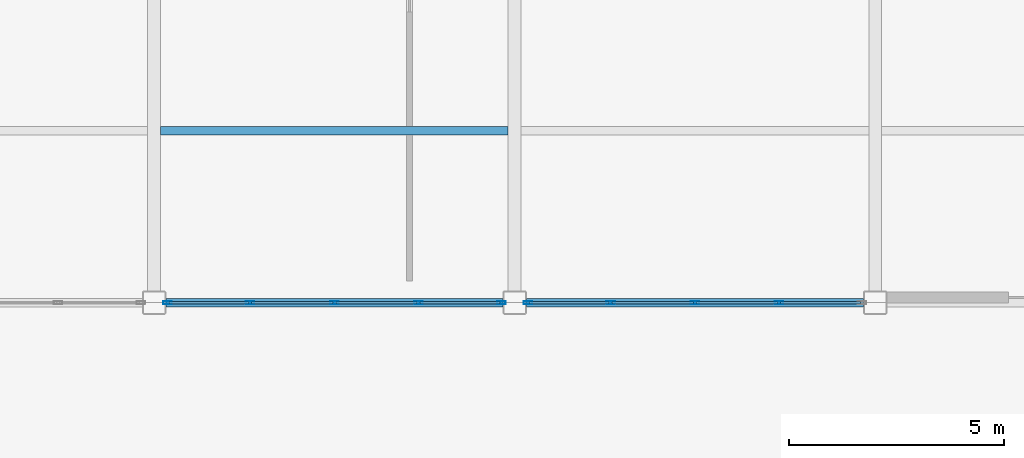
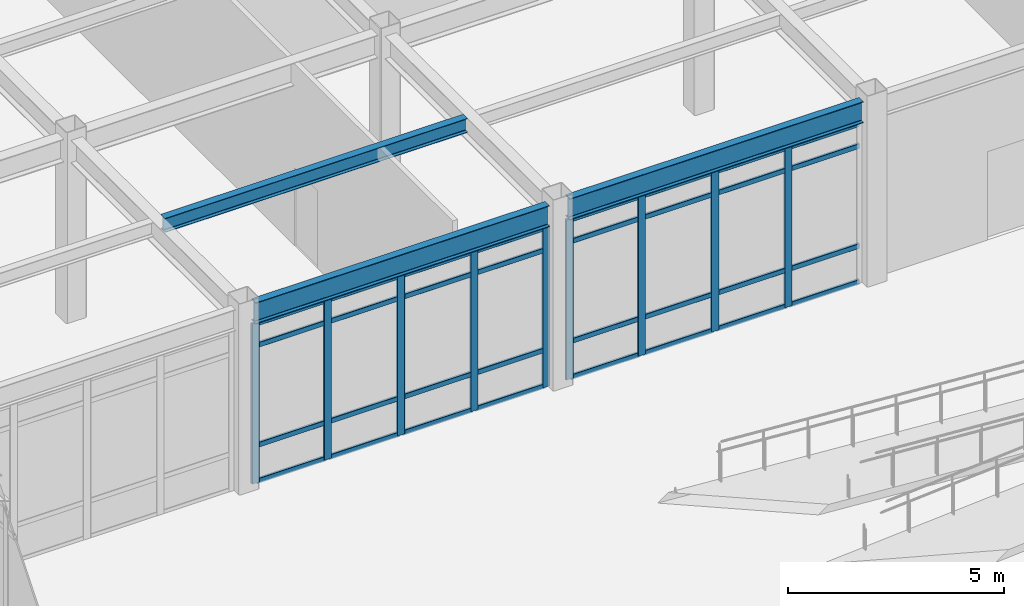
# One storey, part 74 of 165: 41 members, 3 beams, 2 elements without a shape of their own.
"""IFC4 building model written with IfcOpenShell, lengths in metres."""

from ifc_helpers import new_model, si_unit, direction, frame, origin, origin_2d, place, context, subcontext, project, spatial, hollow_rectangle, i_section, extrude, material, layer, layer_set, material_profile, profile_set, type_object, element, aggregate, save


model = new_model("IFC4")

# Units and contexts
model_context = context("Model", 3, precision=1e-05, world=origin(), true_north=direction((0.0, 1.0)))
body_context = subcontext(model_context, "Body", "Model", "MODEL_VIEW")
ifc_project = project(units=[si_unit("LENGTHUNIT", "METRE"), si_unit("AREAUNIT", "SQUARE_METRE"), si_unit("VOLUMEUNIT", "CUBIC_METRE"), si_unit("PLANEANGLEUNIT", "RADIAN"), si_unit("MASSUNIT", "GRAM", prefix="KILO")], contexts=[model_context])

# Site, building, storey
site_placement = place(None, origin())
site = spatial("IfcSite", under=ifc_project, at=site_placement, CompositionType="ELEMENT")
building_placement = place(site_placement, origin())
building = spatial("IfcBuilding", under=site, at=building_placement, Name="Kazehara Bluff Congress Hotel", CompositionType="ELEMENT")
storey_placement = place(building_placement, origin())
storey = spatial("IfcBuildingStorey", under=building, at=storey_placement, Name="L00", CompositionType="ELEMENT", Elevation=0.0)

# Curtain wall, members
ifc_material_1 = material(Name="Anodised aluminium", Category="aluminium")
ifc_layer = layer(ifc_material_1, 0.159912109375)
ifc_layer_set = layer_set([ifc_layer], Name="Anodised aluminium")
curtain_wall_type = type_object("IfcCurtainWallType", Name="TP-CW-36", PredefinedType="NOTDEFINED", material=ifc_layer_set)
curtain_wall_1_placement = place(storey_placement, origin())
curtain_wall_1 = element("IfcCurtainWall", 1, at=curtain_wall_1_placement, inside=storey, type_object=curtain_wall_type, Name="L00 curtain wall CW-36 CW-V3-L00-Y8090-7632", PredefinedType="NOTDEFINED")
ifc_material_2 = material(Name="Anodised aluminium", Category="aluminium")
ifc_material_profile_1 = material_profile(ifc_material_2, hollow_rectangle(XDim=0.070068359375, YDim=0.199951171875, WallThickness=0.0048828125, InnerFilletRadius=0.0048828125, OuterFilletRadius=0.010009765625, at=origin_2d()))
ifc_profile_set_1 = profile_set([ifc_material_profile_1], Name="Anodised aluminium")
member_type_1 = type_object("IfcMemberType", Name="TP-CWM-03", PredefinedType="MULLION", material=ifc_profile_set_1)
member_1_placement = place(storey_placement, frame((76.360107421875, 80.89990234375, 0.0), z_axis=(0.0, 0.0, 1.0), x_axis=(0.0, 1.0, 0.0)))
member_1 = element("IfcMember", 2, at=member_1_placement, type_object=member_type_1, Name="CW-36 mullion 1", PredefinedType="MULLION", context=body_context, shape_type="SweptSolid", body=[
    extrude(hollow_rectangle(XDim=0.070068359375, YDim=0.199951171875, WallThickness=0.0048828125, InnerFilletRadius=0.0048828125, OuterFilletRadius=0.010009765625, at=origin_2d()), origin(), (0.0, 0.0, 1.0), 4.52490234375),
])
member_2_placement = place(storey_placement, frame((78.28759765625, 80.89990234375, 0.0), z_axis=(0.0, 0.0, 1.0), x_axis=(0.0, 1.0, 0.0)))
member_2 = element("IfcMember", 3, at=member_2_placement, type_object=member_type_1, Name="CW-36 mullion 2", PredefinedType="MULLION", context=body_context, shape_type="SweptSolid", body=[
    extrude(hollow_rectangle(XDim=0.070068359375, YDim=0.199951171875, WallThickness=0.0048828125, InnerFilletRadius=0.0048828125, OuterFilletRadius=0.010009765625, at=origin_2d()), origin(), (0.0, 0.0, 1.0), 4.52490234375),
])
member_3_placement = place(storey_placement, frame((80.25, 80.89990234375, 0.0), z_axis=(0.0, 0.0, 1.0), x_axis=(0.0, 1.0, 0.0)))
member_3 = element("IfcMember", 4, at=member_3_placement, type_object=member_type_1, Name="CW-36 mullion 3", PredefinedType="MULLION", context=body_context, shape_type="SweptSolid", body=[
    extrude(hollow_rectangle(XDim=0.070068359375, YDim=0.199951171875, WallThickness=0.0048828125, InnerFilletRadius=0.0048828125, OuterFilletRadius=0.010009765625, at=origin_2d()), origin(), (0.0, 0.0, 1.0), 4.52490234375),
])
member_4_placement = place(storey_placement, frame((82.21240234375, 80.89990234375, 0.0), z_axis=(0.0, 0.0, 1.0), x_axis=(0.0, 1.0, 0.0)))
member_4 = element("IfcMember", 5, at=member_4_placement, type_object=member_type_1, Name="CW-36 mullion 4", PredefinedType="MULLION", context=body_context, shape_type="SweptSolid", body=[
    extrude(hollow_rectangle(XDim=0.070068359375, YDim=0.199951171875, WallThickness=0.0048828125, InnerFilletRadius=0.0048828125, OuterFilletRadius=0.010009765625, at=origin_2d()), origin(), (0.0, 0.0, 1.0), 4.52490234375),
])
member_5_placement = place(storey_placement, frame((84.139892578125, 80.89990234375, 0.0), z_axis=(0.0, 0.0, 1.0), x_axis=(0.0, 1.0, 0.0)))
member_5 = element("IfcMember", 6, at=member_5_placement, type_object=member_type_1, Name="CW-36 mullion 5", PredefinedType="MULLION", context=body_context, shape_type="SweptSolid", body=[
    extrude(hollow_rectangle(XDim=0.070068359375, YDim=0.199951171875, WallThickness=0.0048828125, InnerFilletRadius=0.0048828125, OuterFilletRadius=0.010009765625, at=origin_2d()), origin(), (0.0, 0.0, 1.0), 4.52490234375),
])

curtain_wall_2_placement = place(storey_placement, origin())
curtain_wall_2 = element("IfcCurtainWall", 7, at=curtain_wall_2_placement, inside=storey, type_object=curtain_wall_type, Name="L00 curtain wall CW-36 CW-V3-L00-Y8090-8472", PredefinedType="NOTDEFINED")
member_6_placement = place(storey_placement, frame((84.760009765625, 80.89990234375, 0.0), z_axis=(0.0, 0.0, 1.0), x_axis=(0.0, 1.0, 0.0)))
member_6 = element("IfcMember", 8, at=member_6_placement, type_object=member_type_1, Name="CW-36 mullion 1", PredefinedType="MULLION", context=body_context, shape_type="SweptSolid", body=[
    extrude(hollow_rectangle(XDim=0.070068359375, YDim=0.199951171875, WallThickness=0.0048828125, InnerFilletRadius=0.0048828125, OuterFilletRadius=0.010009765625, at=origin_2d()), origin(), (0.0, 0.0, 1.0), 4.52490234375),
])
member_7_placement = place(storey_placement, frame((86.6875, 80.89990234375, 0.0), z_axis=(0.0, 0.0, 1.0), x_axis=(0.0, 1.0, 0.0)))
member_7 = element("IfcMember", 9, at=member_7_placement, type_object=member_type_1, Name="CW-36 mullion 2", PredefinedType="MULLION", context=body_context, shape_type="SweptSolid", body=[
    extrude(hollow_rectangle(XDim=0.070068359375, YDim=0.199951171875, WallThickness=0.0048828125, InnerFilletRadius=0.0048828125, OuterFilletRadius=0.010009765625, at=origin_2d()), origin(), (0.0, 0.0, 1.0), 4.52490234375),
])
member_8_placement = place(storey_placement, frame((88.64990234375, 80.89990234375, 0.0), z_axis=(0.0, 0.0, 1.0), x_axis=(0.0, 1.0, 0.0)))
member_8 = element("IfcMember", 10, at=member_8_placement, type_object=member_type_1, Name="CW-36 mullion 3", PredefinedType="MULLION", context=body_context, shape_type="SweptSolid", body=[
    extrude(hollow_rectangle(XDim=0.070068359375, YDim=0.199951171875, WallThickness=0.0048828125, InnerFilletRadius=0.0048828125, OuterFilletRadius=0.010009765625, at=origin_2d()), origin(), (0.0, 0.0, 1.0), 4.52490234375),
])
member_9_placement = place(storey_placement, frame((90.612548828125, 80.89990234375, 0.0), z_axis=(0.0, 0.0, 1.0), x_axis=(0.0, 1.0, 0.0)))
member_9 = element("IfcMember", 11, at=member_9_placement, type_object=member_type_1, Name="CW-36 mullion 4", PredefinedType="MULLION", context=body_context, shape_type="SweptSolid", body=[
    extrude(hollow_rectangle(XDim=0.070068359375, YDim=0.199951171875, WallThickness=0.0048828125, InnerFilletRadius=0.0048828125, OuterFilletRadius=0.010009765625, at=origin_2d()), origin(), (0.0, 0.0, 1.0), 4.52490234375),
])

# Member
ifc_material_3 = material(Name="Anodised aluminium", Category="aluminium")
ifc_material_profile_2 = material_profile(ifc_material_3, hollow_rectangle(XDim=0.06494140625, YDim=0.139892578125, WallThickness=0.00390625, InnerFilletRadius=0.00390625, OuterFilletRadius=0.008056640625, at=origin_2d()))
ifc_profile_set_2 = profile_set([ifc_material_profile_2], Name="Anodised aluminium")
member_type_2 = type_object("IfcMemberType", Name="TP-CWT-02", PredefinedType="USERDEFINED", material=ifc_profile_set_2)
member_10_placement = place(storey_placement, frame((76.39501953125, 80.89990234375, 0.032470703125), z_axis=(1.0, 0.0, 0.0), x_axis=(0.0, 1.0, 0.0)))
member_10 = element("IfcMember", 12, at=member_10_placement, type_object=member_type_2, Name="CW-36 transom 1.1", ObjectType="TRANSOM", PredefinedType="USERDEFINED", context=body_context, shape_type="SweptSolid", body=[
    extrude(hollow_rectangle(XDim=0.06494140625, YDim=0.139892578125, WallThickness=0.00390625, InnerFilletRadius=0.00390625, OuterFilletRadius=0.008056640625, at=origin_2d()), origin(), (0.0, 0.0, 1.0), 1.857421875),
])

member_11_placement = place(storey_placement, frame((76.39501953125, 80.89990234375, 1.050048828125), z_axis=(1.0, 0.0, 0.0), x_axis=(0.0, 1.0, 0.0)))
member_11 = element("IfcMember", 13, at=member_11_placement, type_object=member_type_2, Name="CW-36 transom 1.2", ObjectType="TRANSOM", PredefinedType="USERDEFINED", context=body_context, shape_type="SweptSolid", body=[
    extrude(hollow_rectangle(XDim=0.06494140625, YDim=0.139892578125, WallThickness=0.00390625, InnerFilletRadius=0.00390625, OuterFilletRadius=0.008056640625, at=origin_2d()), origin(), (0.0, 0.0, 1.0), 1.857421875),
])

member_12_placement = place(storey_placement, frame((76.39501953125, 80.89990234375, 3.875), z_axis=(1.0, 0.0, 0.0), x_axis=(0.0, 1.0, 0.0)))
member_12 = element("IfcMember", 14, at=member_12_placement, type_object=member_type_2, Name="CW-36 transom 1.3", ObjectType="TRANSOM", PredefinedType="USERDEFINED", context=body_context, shape_type="SweptSolid", body=[
    extrude(hollow_rectangle(XDim=0.06494140625, YDim=0.139892578125, WallThickness=0.00390625, InnerFilletRadius=0.00390625, OuterFilletRadius=0.008056640625, at=origin_2d()), origin(), (0.0, 0.0, 1.0), 1.857421875),
])

member_13_placement = place(storey_placement, frame((76.39501953125, 80.89990234375, 4.492431640625), z_axis=(1.0, 0.0, 0.0), x_axis=(0.0, 1.0, 0.0)))
member_13 = element("IfcMember", 15, at=member_13_placement, type_object=member_type_2, Name="CW-36 transom 1.4", ObjectType="TRANSOM", PredefinedType="USERDEFINED", context=body_context, shape_type="SweptSolid", body=[
    extrude(hollow_rectangle(XDim=0.06494140625, YDim=0.139892578125, WallThickness=0.00390625, InnerFilletRadius=0.00390625, OuterFilletRadius=0.008056640625, at=origin_2d()), origin(), (0.0, 0.0, 1.0), 1.857421875),
])

member_14_placement = place(storey_placement, frame((78.322509765625, 80.89990234375, 0.032470703125), z_axis=(1.0, 0.0, 0.0), x_axis=(0.0, 1.0, 0.0)))
member_14 = element("IfcMember", 16, at=member_14_placement, type_object=member_type_2, Name="CW-36 transom 2.1", ObjectType="TRANSOM", PredefinedType="USERDEFINED", context=body_context, shape_type="SweptSolid", body=[
    extrude(hollow_rectangle(XDim=0.06494140625, YDim=0.139892578125, WallThickness=0.00390625, InnerFilletRadius=0.00390625, OuterFilletRadius=0.008056640625, at=origin_2d()), origin(), (0.0, 0.0, 1.0), 1.892578125),
])

member_15_placement = place(storey_placement, frame((78.322509765625, 80.89990234375, 1.050048828125), z_axis=(1.0, 0.0, 0.0), x_axis=(0.0, 1.0, 0.0)))
member_15 = element("IfcMember", 17, at=member_15_placement, type_object=member_type_2, Name="CW-36 transom 2.2", ObjectType="TRANSOM", PredefinedType="USERDEFINED", context=body_context, shape_type="SweptSolid", body=[
    extrude(hollow_rectangle(XDim=0.06494140625, YDim=0.139892578125, WallThickness=0.00390625, InnerFilletRadius=0.00390625, OuterFilletRadius=0.008056640625, at=origin_2d()), origin(), (0.0, 0.0, 1.0), 1.892578125),
])

member_16_placement = place(storey_placement, frame((78.322509765625, 80.89990234375, 3.875), z_axis=(1.0, 0.0, 0.0), x_axis=(0.0, 1.0, 0.0)))
member_16 = element("IfcMember", 18, at=member_16_placement, type_object=member_type_2, Name="CW-36 transom 2.3", ObjectType="TRANSOM", PredefinedType="USERDEFINED", context=body_context, shape_type="SweptSolid", body=[
    extrude(hollow_rectangle(XDim=0.06494140625, YDim=0.139892578125, WallThickness=0.00390625, InnerFilletRadius=0.00390625, OuterFilletRadius=0.008056640625, at=origin_2d()), origin(), (0.0, 0.0, 1.0), 1.892578125),
])

member_17_placement = place(storey_placement, frame((78.322509765625, 80.89990234375, 4.492431640625), z_axis=(1.0, 0.0, 0.0), x_axis=(0.0, 1.0, 0.0)))
member_17 = element("IfcMember", 19, at=member_17_placement, type_object=member_type_2, Name="CW-36 transom 2.4", ObjectType="TRANSOM", PredefinedType="USERDEFINED", context=body_context, shape_type="SweptSolid", body=[
    extrude(hollow_rectangle(XDim=0.06494140625, YDim=0.139892578125, WallThickness=0.00390625, InnerFilletRadius=0.00390625, OuterFilletRadius=0.008056640625, at=origin_2d()), origin(), (0.0, 0.0, 1.0), 1.892578125),
])

member_18_placement = place(storey_placement, frame((80.284912109375, 80.89990234375, 0.032470703125), z_axis=(1.0, 0.0, 0.0), x_axis=(0.0, 1.0, 0.0)))
member_18 = element("IfcMember", 20, at=member_18_placement, type_object=member_type_2, Name="CW-36 transom 3.1", ObjectType="TRANSOM", PredefinedType="USERDEFINED", context=body_context, shape_type="SweptSolid", body=[
    extrude(hollow_rectangle(XDim=0.06494140625, YDim=0.139892578125, WallThickness=0.00390625, InnerFilletRadius=0.00390625, OuterFilletRadius=0.008056640625, at=origin_2d()), origin(), (0.0, 0.0, 1.0), 1.892578125),
])

member_19_placement = place(storey_placement, frame((80.284912109375, 80.89990234375, 1.050048828125), z_axis=(1.0, 0.0, 0.0), x_axis=(0.0, 1.0, 0.0)))
member_19 = element("IfcMember", 21, at=member_19_placement, type_object=member_type_2, Name="CW-36 transom 3.2", ObjectType="TRANSOM", PredefinedType="USERDEFINED", context=body_context, shape_type="SweptSolid", body=[
    extrude(hollow_rectangle(XDim=0.06494140625, YDim=0.139892578125, WallThickness=0.00390625, InnerFilletRadius=0.00390625, OuterFilletRadius=0.008056640625, at=origin_2d()), origin(), (0.0, 0.0, 1.0), 1.892578125),
])

member_20_placement = place(storey_placement, frame((80.284912109375, 80.89990234375, 3.875), z_axis=(1.0, 0.0, 0.0), x_axis=(0.0, 1.0, 0.0)))
member_20 = element("IfcMember", 22, at=member_20_placement, type_object=member_type_2, Name="CW-36 transom 3.3", ObjectType="TRANSOM", PredefinedType="USERDEFINED", context=body_context, shape_type="SweptSolid", body=[
    extrude(hollow_rectangle(XDim=0.06494140625, YDim=0.139892578125, WallThickness=0.00390625, InnerFilletRadius=0.00390625, OuterFilletRadius=0.008056640625, at=origin_2d()), origin(), (0.0, 0.0, 1.0), 1.892578125),
])

member_21_placement = place(storey_placement, frame((80.284912109375, 80.89990234375, 4.492431640625), z_axis=(1.0, 0.0, 0.0), x_axis=(0.0, 1.0, 0.0)))
member_21 = element("IfcMember", 23, at=member_21_placement, type_object=member_type_2, Name="CW-36 transom 3.4", ObjectType="TRANSOM", PredefinedType="USERDEFINED", context=body_context, shape_type="SweptSolid", body=[
    extrude(hollow_rectangle(XDim=0.06494140625, YDim=0.139892578125, WallThickness=0.00390625, InnerFilletRadius=0.00390625, OuterFilletRadius=0.008056640625, at=origin_2d()), origin(), (0.0, 0.0, 1.0), 1.892578125),
])

member_22_placement = place(storey_placement, frame((82.24755859375, 80.89990234375, 0.032470703125), z_axis=(1.0, 0.0, 0.0), x_axis=(0.0, 1.0, 0.0)))
member_22 = element("IfcMember", 24, at=member_22_placement, type_object=member_type_2, Name="CW-36 transom 4.1", ObjectType="TRANSOM", PredefinedType="USERDEFINED", context=body_context, shape_type="SweptSolid", body=[
    extrude(hollow_rectangle(XDim=0.06494140625, YDim=0.139892578125, WallThickness=0.00390625, InnerFilletRadius=0.00390625, OuterFilletRadius=0.008056640625, at=origin_2d()), origin(), (0.0, 0.0, 1.0), 1.857421875),
])

member_23_placement = place(storey_placement, frame((82.24755859375, 80.89990234375, 1.050048828125), z_axis=(1.0, 0.0, 0.0), x_axis=(0.0, 1.0, 0.0)))
member_23 = element("IfcMember", 25, at=member_23_placement, type_object=member_type_2, Name="CW-36 transom 4.2", ObjectType="TRANSOM", PredefinedType="USERDEFINED", context=body_context, shape_type="SweptSolid", body=[
    extrude(hollow_rectangle(XDim=0.06494140625, YDim=0.139892578125, WallThickness=0.00390625, InnerFilletRadius=0.00390625, OuterFilletRadius=0.008056640625, at=origin_2d()), origin(), (0.0, 0.0, 1.0), 1.857421875),
])

member_24_placement = place(storey_placement, frame((82.24755859375, 80.89990234375, 3.875), z_axis=(1.0, 0.0, 0.0), x_axis=(0.0, 1.0, 0.0)))
member_24 = element("IfcMember", 26, at=member_24_placement, type_object=member_type_2, Name="CW-36 transom 4.3", ObjectType="TRANSOM", PredefinedType="USERDEFINED", context=body_context, shape_type="SweptSolid", body=[
    extrude(hollow_rectangle(XDim=0.06494140625, YDim=0.139892578125, WallThickness=0.00390625, InnerFilletRadius=0.00390625, OuterFilletRadius=0.008056640625, at=origin_2d()), origin(), (0.0, 0.0, 1.0), 1.857421875),
])

member_25_placement = place(storey_placement, frame((82.24755859375, 80.89990234375, 4.492431640625), z_axis=(1.0, 0.0, 0.0), x_axis=(0.0, 1.0, 0.0)))
member_25 = element("IfcMember", 27, at=member_25_placement, type_object=member_type_2, Name="CW-36 transom 4.4", ObjectType="TRANSOM", PredefinedType="USERDEFINED", context=body_context, shape_type="SweptSolid", body=[
    extrude(hollow_rectangle(XDim=0.06494140625, YDim=0.139892578125, WallThickness=0.00390625, InnerFilletRadius=0.00390625, OuterFilletRadius=0.008056640625, at=origin_2d()), origin(), (0.0, 0.0, 1.0), 1.857421875),
])

aggregate(curtain_wall_1, [member_1, member_2, member_3, member_4, member_5, member_10, member_11, member_12, member_13, member_14, member_15, member_16, member_17, member_18, member_19, member_20, member_21, member_22, member_23, member_24, member_25])

member_26_placement = place(storey_placement, frame((84.794921875, 80.89990234375, 0.032470703125), z_axis=(1.0, 0.0, 0.0), x_axis=(0.0, 1.0, 0.0)))
member_26 = element("IfcMember", 28, at=member_26_placement, type_object=member_type_2, Name="CW-36 transom 1.1", ObjectType="TRANSOM", PredefinedType="USERDEFINED", context=body_context, shape_type="SweptSolid", body=[
    extrude(hollow_rectangle(XDim=0.06494140625, YDim=0.139892578125, WallThickness=0.00390625, InnerFilletRadius=0.00390625, OuterFilletRadius=0.008056640625, at=origin_2d()), origin(), (0.0, 0.0, 1.0), 1.857666015625),
])

member_27_placement = place(storey_placement, frame((84.794921875, 80.89990234375, 1.050048828125), z_axis=(1.0, 0.0, 0.0), x_axis=(0.0, 1.0, 0.0)))
member_27 = element("IfcMember", 29, at=member_27_placement, type_object=member_type_2, Name="CW-36 transom 1.2", ObjectType="TRANSOM", PredefinedType="USERDEFINED", context=body_context, shape_type="SweptSolid", body=[
    extrude(hollow_rectangle(XDim=0.06494140625, YDim=0.139892578125, WallThickness=0.00390625, InnerFilletRadius=0.00390625, OuterFilletRadius=0.008056640625, at=origin_2d()), origin(), (0.0, 0.0, 1.0), 1.857666015625),
])

member_28_placement = place(storey_placement, frame((84.794921875, 80.89990234375, 3.875), z_axis=(1.0, 0.0, 0.0), x_axis=(0.0, 1.0, 0.0)))
member_28 = element("IfcMember", 30, at=member_28_placement, type_object=member_type_2, Name="CW-36 transom 1.3", ObjectType="TRANSOM", PredefinedType="USERDEFINED", context=body_context, shape_type="SweptSolid", body=[
    extrude(hollow_rectangle(XDim=0.06494140625, YDim=0.139892578125, WallThickness=0.00390625, InnerFilletRadius=0.00390625, OuterFilletRadius=0.008056640625, at=origin_2d()), origin(), (0.0, 0.0, 1.0), 1.857666015625),
])

member_29_placement = place(storey_placement, frame((84.794921875, 80.89990234375, 4.492431640625), z_axis=(1.0, 0.0, 0.0), x_axis=(0.0, 1.0, 0.0)))
member_29 = element("IfcMember", 31, at=member_29_placement, type_object=member_type_2, Name="CW-36 transom 1.4", ObjectType="TRANSOM", PredefinedType="USERDEFINED", context=body_context, shape_type="SweptSolid", body=[
    extrude(hollow_rectangle(XDim=0.06494140625, YDim=0.139892578125, WallThickness=0.00390625, InnerFilletRadius=0.00390625, OuterFilletRadius=0.008056640625, at=origin_2d()), origin(), (0.0, 0.0, 1.0), 1.857666015625),
])

member_30_placement = place(storey_placement, frame((86.722412109375, 80.89990234375, 0.032470703125), z_axis=(1.0, 0.0, 0.0), x_axis=(0.0, 1.0, 0.0)))
member_30 = element("IfcMember", 32, at=member_30_placement, type_object=member_type_2, Name="CW-36 transom 2.1", ObjectType="TRANSOM", PredefinedType="USERDEFINED", context=body_context, shape_type="SweptSolid", body=[
    extrude(hollow_rectangle(XDim=0.06494140625, YDim=0.139892578125, WallThickness=0.00390625, InnerFilletRadius=0.00390625, OuterFilletRadius=0.008056640625, at=origin_2d()), origin(), (0.0, 0.0, 1.0), 1.892578125),
])

member_31_placement = place(storey_placement, frame((86.722412109375, 80.89990234375, 1.050048828125), z_axis=(1.0, 0.0, 0.0), x_axis=(0.0, 1.0, 0.0)))
member_31 = element("IfcMember", 33, at=member_31_placement, type_object=member_type_2, Name="CW-36 transom 2.2", ObjectType="TRANSOM", PredefinedType="USERDEFINED", context=body_context, shape_type="SweptSolid", body=[
    extrude(hollow_rectangle(XDim=0.06494140625, YDim=0.139892578125, WallThickness=0.00390625, InnerFilletRadius=0.00390625, OuterFilletRadius=0.008056640625, at=origin_2d()), origin(), (0.0, 0.0, 1.0), 1.892578125),
])

member_32_placement = place(storey_placement, frame((86.722412109375, 80.89990234375, 3.875), z_axis=(1.0, 0.0, 0.0), x_axis=(0.0, 1.0, 0.0)))
member_32 = element("IfcMember", 34, at=member_32_placement, type_object=member_type_2, Name="CW-36 transom 2.3", ObjectType="TRANSOM", PredefinedType="USERDEFINED", context=body_context, shape_type="SweptSolid", body=[
    extrude(hollow_rectangle(XDim=0.06494140625, YDim=0.139892578125, WallThickness=0.00390625, InnerFilletRadius=0.00390625, OuterFilletRadius=0.008056640625, at=origin_2d()), origin(), (0.0, 0.0, 1.0), 1.892578125),
])

member_33_placement = place(storey_placement, frame((86.722412109375, 80.89990234375, 4.492431640625), z_axis=(1.0, 0.0, 0.0), x_axis=(0.0, 1.0, 0.0)))
member_33 = element("IfcMember", 35, at=member_33_placement, type_object=member_type_2, Name="CW-36 transom 2.4", ObjectType="TRANSOM", PredefinedType="USERDEFINED", context=body_context, shape_type="SweptSolid", body=[
    extrude(hollow_rectangle(XDim=0.06494140625, YDim=0.139892578125, WallThickness=0.00390625, InnerFilletRadius=0.00390625, OuterFilletRadius=0.008056640625, at=origin_2d()), origin(), (0.0, 0.0, 1.0), 1.892578125),
])

member_34_placement = place(storey_placement, frame((88.68505859375, 80.89990234375, 0.032470703125), z_axis=(1.0, 0.0, 0.0), x_axis=(0.0, 1.0, 0.0)))
member_34 = element("IfcMember", 36, at=member_34_placement, type_object=member_type_2, Name="CW-36 transom 3.1", ObjectType="TRANSOM", PredefinedType="USERDEFINED", context=body_context, shape_type="SweptSolid", body=[
    extrude(hollow_rectangle(XDim=0.06494140625, YDim=0.139892578125, WallThickness=0.00390625, InnerFilletRadius=0.00390625, OuterFilletRadius=0.008056640625, at=origin_2d()), origin(), (0.0, 0.0, 1.0), 1.892333984375),
])

member_35_placement = place(storey_placement, frame((88.68505859375, 80.89990234375, 1.050048828125), z_axis=(1.0, 0.0, 0.0), x_axis=(0.0, 1.0, 0.0)))
member_35 = element("IfcMember", 37, at=member_35_placement, type_object=member_type_2, Name="CW-36 transom 3.2", ObjectType="TRANSOM", PredefinedType="USERDEFINED", context=body_context, shape_type="SweptSolid", body=[
    extrude(hollow_rectangle(XDim=0.06494140625, YDim=0.139892578125, WallThickness=0.00390625, InnerFilletRadius=0.00390625, OuterFilletRadius=0.008056640625, at=origin_2d()), origin(), (0.0, 0.0, 1.0), 1.892333984375),
])

member_36_placement = place(storey_placement, frame((88.68505859375, 80.89990234375, 3.875), z_axis=(1.0, 0.0, 0.0), x_axis=(0.0, 1.0, 0.0)))
member_36 = element("IfcMember", 38, at=member_36_placement, type_object=member_type_2, Name="CW-36 transom 3.3", ObjectType="TRANSOM", PredefinedType="USERDEFINED", context=body_context, shape_type="SweptSolid", body=[
    extrude(hollow_rectangle(XDim=0.06494140625, YDim=0.139892578125, WallThickness=0.00390625, InnerFilletRadius=0.00390625, OuterFilletRadius=0.008056640625, at=origin_2d()), origin(), (0.0, 0.0, 1.0), 1.892333984375),
])

member_37_placement = place(storey_placement, frame((88.68505859375, 80.89990234375, 4.492431640625), z_axis=(1.0, 0.0, 0.0), x_axis=(0.0, 1.0, 0.0)))
member_37 = element("IfcMember", 39, at=member_37_placement, type_object=member_type_2, Name="CW-36 transom 3.4", ObjectType="TRANSOM", PredefinedType="USERDEFINED", context=body_context, shape_type="SweptSolid", body=[
    extrude(hollow_rectangle(XDim=0.06494140625, YDim=0.139892578125, WallThickness=0.00390625, InnerFilletRadius=0.00390625, OuterFilletRadius=0.008056640625, at=origin_2d()), origin(), (0.0, 0.0, 1.0), 1.892333984375),
])

member_38_placement = place(storey_placement, frame((90.6474609375, 80.89990234375, 0.032470703125), z_axis=(1.0, 0.0, 0.0), x_axis=(0.0, 1.0, 0.0)))
member_38 = element("IfcMember", 40, at=member_38_placement, type_object=member_type_2, Name="CW-36 transom 4.1", ObjectType="TRANSOM", PredefinedType="USERDEFINED", context=body_context, shape_type="SweptSolid", body=[
    extrude(hollow_rectangle(XDim=0.06494140625, YDim=0.139892578125, WallThickness=0.00390625, InnerFilletRadius=0.00390625, OuterFilletRadius=0.008056640625, at=origin_2d()), origin(), (0.0, 0.0, 1.0), 1.857421875),
])

member_39_placement = place(storey_placement, frame((90.6474609375, 80.89990234375, 1.050048828125), z_axis=(1.0, 0.0, 0.0), x_axis=(0.0, 1.0, 0.0)))
member_39 = element("IfcMember", 41, at=member_39_placement, type_object=member_type_2, Name="CW-36 transom 4.2", ObjectType="TRANSOM", PredefinedType="USERDEFINED", context=body_context, shape_type="SweptSolid", body=[
    extrude(hollow_rectangle(XDim=0.06494140625, YDim=0.139892578125, WallThickness=0.00390625, InnerFilletRadius=0.00390625, OuterFilletRadius=0.008056640625, at=origin_2d()), origin(), (0.0, 0.0, 1.0), 1.857421875),
])

member_40_placement = place(storey_placement, frame((90.6474609375, 80.89990234375, 3.875), z_axis=(1.0, 0.0, 0.0), x_axis=(0.0, 1.0, 0.0)))
member_40 = element("IfcMember", 42, at=member_40_placement, type_object=member_type_2, Name="CW-36 transom 4.3", ObjectType="TRANSOM", PredefinedType="USERDEFINED", context=body_context, shape_type="SweptSolid", body=[
    extrude(hollow_rectangle(XDim=0.06494140625, YDim=0.139892578125, WallThickness=0.00390625, InnerFilletRadius=0.00390625, OuterFilletRadius=0.008056640625, at=origin_2d()), origin(), (0.0, 0.0, 1.0), 1.857421875),
])

member_41_placement = place(storey_placement, frame((90.6474609375, 80.89990234375, 4.492431640625), z_axis=(1.0, 0.0, 0.0), x_axis=(0.0, 1.0, 0.0)))
member_41 = element("IfcMember", 43, at=member_41_placement, type_object=member_type_2, Name="CW-36 transom 4.4", ObjectType="TRANSOM", PredefinedType="USERDEFINED", context=body_context, shape_type="SweptSolid", body=[
    extrude(hollow_rectangle(XDim=0.06494140625, YDim=0.139892578125, WallThickness=0.00390625, InnerFilletRadius=0.00390625, OuterFilletRadius=0.008056640625, at=origin_2d()), origin(), (0.0, 0.0, 1.0), 1.857421875),
])

aggregate(curtain_wall_2, [member_6, member_7, member_8, member_9, member_26, member_27, member_28, member_29, member_30, member_31, member_32, member_33, member_34, member_35, member_36, member_37, member_38, member_39, member_40, member_41])

# Beams
ifc_material_4 = material(Name="Steel SN400B", Category="steel")
ifc_material_profile_3 = material_profile(ifc_material_4, i_section(OverallWidth=0.199951171875, OverallDepth=0.39990234375, WebThickness=0.008056640625, FlangeThickness=0.012939453125, FilletRadius=0.012939453125, at=origin_2d()))
ifc_profile_set_3 = profile_set([ifc_material_profile_3], Name="Steel SN400B")
beam_type_1 = type_object("IfcBeamType", Name="TP-J-03", PredefinedType="JOIST", material=ifc_profile_set_3)
beam_1_placement = place(storey_placement, frame((76.199951171875, 84.89990234375, 4.949951171875), z_axis=(1.0, 0.0, 0.0), x_axis=(0.0, 1.0, 0.0)))
element("IfcBeam", 44, at=beam_1_placement, inside=storey, type_object=beam_type_1, Name="L00 secondary joist J-03 19", PredefinedType="JOIST", context=body_context, shape_type="SweptSolid", body=[
    extrude(i_section(OverallWidth=0.199951171875, OverallDepth=0.39990234375, WebThickness=0.008056640625, FlangeThickness=0.012939453125, FilletRadius=0.012939453125, at=origin_2d()), origin(), (0.0, 0.0, 1.0), 8.10009765625),
])
ifc_material_5 = material(Name="Steel SN490B", Category="steel")
ifc_material_profile_4 = material_profile(ifc_material_5, i_section(OverallWidth=0.199951171875, OverallDepth=0.60009765625, WebThickness=0.010986328125, FlangeThickness=0.01708984375, FilletRadius=0.012939453125, at=origin_2d()))
ifc_profile_set_4 = profile_set([ifc_material_profile_4], Name="Steel SN490B")
beam_type_2 = type_object("IfcBeamType", Name="TP-SP-02", PredefinedType="SPANDREL", material=ifc_profile_set_4)
beam_2_placement = place(storey_placement, frame((76.324951171875, 80.89990234375, 4.85009765625), z_axis=(1.0, 0.0, 0.0), x_axis=(0.0, 1.0, 0.0)))
element("IfcBeam", 45, at=beam_2_placement, inside=storey, type_object=beam_type_2, Name="L00 girder SP-02 125", PredefinedType="SPANDREL", context=body_context, shape_type="SweptSolid", body=[
    extrude(i_section(OverallWidth=0.199951171875, OverallDepth=0.60009765625, WebThickness=0.010986328125, FlangeThickness=0.01708984375, FilletRadius=0.012939453125, at=origin_2d()), origin(), (0.0, 0.0, 1.0), 7.85009765625),
])
beam_3_placement = place(storey_placement, frame((84.72509765625, 80.89990234375, 4.85009765625), z_axis=(1.0, 0.0, 0.0), x_axis=(0.0, 1.0, 0.0)))
element("IfcBeam", 46, at=beam_3_placement, inside=storey, type_object=beam_type_2, Name="L00 girder SP-02 126", PredefinedType="SPANDREL", context=body_context, shape_type="SweptSolid", body=[
    extrude(i_section(OverallWidth=0.199951171875, OverallDepth=0.60009765625, WebThickness=0.010986328125, FlangeThickness=0.01708984375, FilletRadius=0.012939453125, at=origin_2d()), origin(), (0.0, 0.0, 1.0), 7.849853515625),
])

save(model, "model.ifc")
